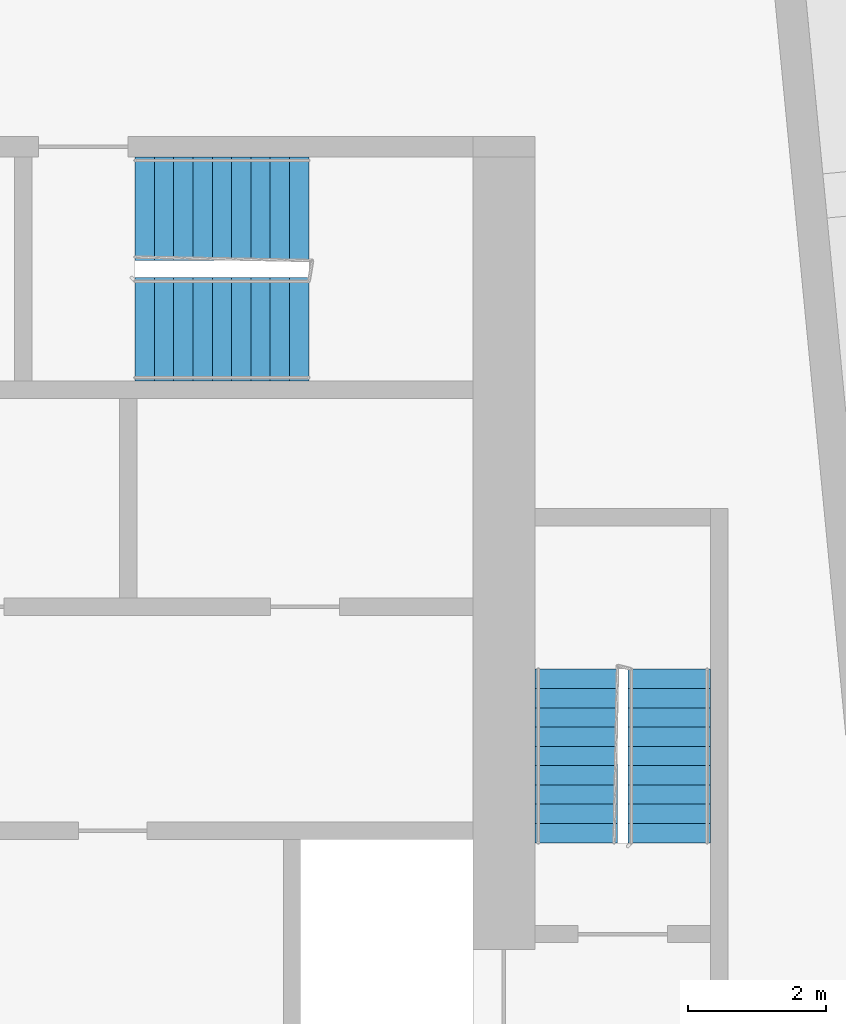
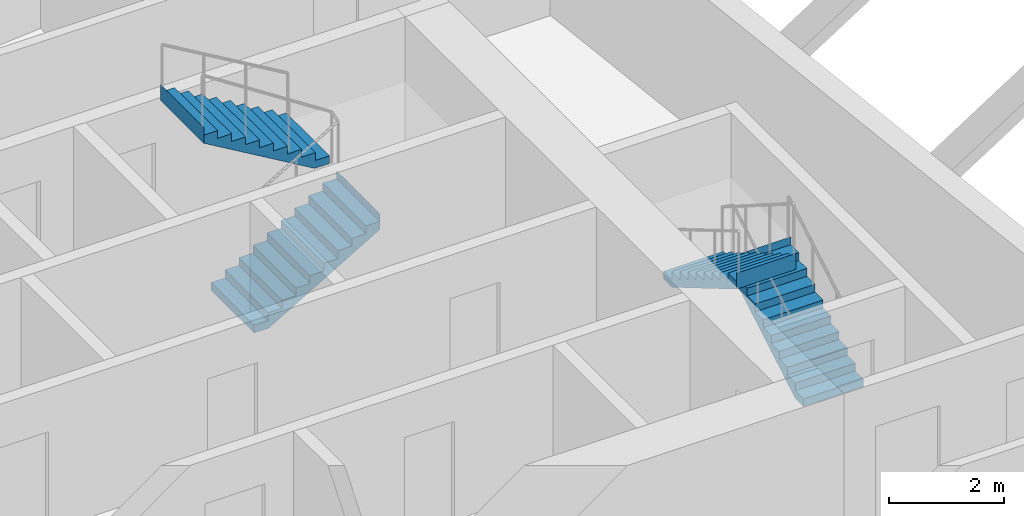
# One storey, part 11 of 13: 4 stair flights, 2 elements without a shape of their own.
"""IFC4 building model written with IfcOpenShell, lengths in metres."""

from ifc_helpers import new_model, si_unit, direction, frame, origin, place, context, subcontext, project, spatial, faceted_brep, material, type_object, element, aggregate, save


model = new_model("IFC4")

# Units and contexts
model_context = context("Model", 3, precision=1e-05, world=origin(), true_north=direction((0.0, 1.0)))
body_context = subcontext(model_context, "Body", "Model", "MODEL_VIEW")
ifc_project = project(units=[si_unit("LENGTHUNIT", "METRE"), si_unit("AREAUNIT", "SQUARE_METRE"), si_unit("VOLUMEUNIT", "CUBIC_METRE"), si_unit("PLANEANGLEUNIT", "RADIAN"), si_unit("MASSUNIT", "GRAM", prefix="KILO")], contexts=[model_context])

# Site, building, storey
site_placement = place(None, origin())
site = spatial("IfcSite", under=ifc_project, at=site_placement, CompositionType="ELEMENT")
building_placement = place(site_placement, origin())
building = spatial("IfcBuilding", under=site, at=building_placement, Name="Kajstack Hotel Tower", CompositionType="ELEMENT")
storey_placement = place(building_placement, frame((0.0, 0.0, 298.199951171875)))
storey = spatial("IfcBuildingStorey", under=building, at=storey_placement, Name="L75", CompositionType="ELEMENT", Elevation=298.199951171875)

# Stair, stair flights
ifc_material = material(Name="Concrete C40/50", Category="concrete")
stair_type_1 = type_object("IfcStairType", Name="Exit stair 1200", PredefinedType="HALF_TURN_STAIR", material=ifc_material)
stair_1_placement = place(storey_placement, origin())
stair_1 = element("IfcStair", 1, at=stair_1_placement, inside=storey, type_object=stair_type_1, Name="L75 stair E1", PredefinedType="HALF_TURN_STAIR")
stair_flight_type_1 = type_object("IfcStairFlightType", Name="Exit stair flight 1200", PredefinedType="STRAIGHT", material=ifc_material)
stair_flight_1_placement = place(storey_placement, frame((33.449951171875, 5.25, 0.0), z_axis=(0.0, 0.0, 1.0), x_axis=(0.0, 1.0, 0.0)))
stair_flight_1 = element("IfcStairFlight", 2, at=stair_flight_1_placement, type_object=stair_flight_type_1, Name="E1 flight 1", NumberOfRisers=10, NumberOfTreads=9, PredefinedType="STRAIGHT", RiserHeight=0.165, TreadLength=0.28, context=body_context, shape_type="Brep", body=[
    faceted_brep([(0.295654296875, -0.60009765625, 0.0), (2.5205078125, -0.60009765625, 1.31103515625), (2.5205078125, -0.60009765625, 1.64990234375), (2.52001953125, -0.60009765625, 1.64990234375), (2.52001953125, -0.60009765625, 1.485107421875), (2.239990234375, -0.60009765625, 1.485107421875), (2.239990234375, -0.60009765625, 1.320068359375), (1.9599609375, -0.60009765625, 1.320068359375), (1.9599609375, -0.60009765625, 1.155029296875), (1.679931640625, -0.60009765625, 1.155029296875), (1.679931640625, -0.60009765625, 0.989990234375), (1.39990234375, -0.60009765625, 0.989990234375), (1.39990234375, -0.60009765625, 0.824951171875), (1.1201171875, -0.60009765625, 0.824951171875), (1.1201171875, -0.60009765625, 0.659912109375), (0.840087890625, -0.60009765625, 0.659912109375), (0.840087890625, -0.60009765625, 0.4951171875), (0.56005859375, -0.60009765625, 0.4951171875), (0.56005859375, -0.60009765625, 0.330078125), (0.280029296875, -0.60009765625, 0.330078125), (0.280029296875, -0.60009765625, 0.1650390625), (-0.00048828125, -0.60009765625, 0.1650390625), (-0.00048828125, -0.60009765625, 0.0), (-0.00048828125, 0.60009765625, 0.0), (-0.00048828125, 0.60009765625, 0.1650390625), (0.280029296875, 0.60009765625, 0.1650390625), (0.280029296875, 0.60009765625, 0.330078125), (0.56005859375, 0.60009765625, 0.330078125), (0.56005859375, 0.60009765625, 0.4951171875), (0.840087890625, 0.60009765625, 0.4951171875), (0.840087890625, 0.60009765625, 0.659912109375), (1.1201171875, 0.60009765625, 0.659912109375), (1.1201171875, 0.60009765625, 0.824951171875), (1.39990234375, 0.60009765625, 0.824951171875), (1.39990234375, 0.60009765625, 0.989990234375), (1.679931640625, 0.60009765625, 0.989990234375), (1.679931640625, 0.60009765625, 1.155029296875), (1.9599609375, 0.60009765625, 1.155029296875), (1.9599609375, 0.60009765625, 1.320068359375), (2.239990234375, 0.60009765625, 1.320068359375), (2.239990234375, 0.60009765625, 1.485107421875), (2.52001953125, 0.60009765625, 1.485107421875), (2.52001953125, 0.60009765625, 1.64990234375), (2.5205078125, 0.60009765625, 1.64990234375), (2.5205078125, 0.60009765625, 1.31103515625), (0.295654296875, 0.60009765625, 0.0), (-0.00048828125, -0.300048828125, 0.1650390625), (-0.00048828125, 0.0, 0.1650390625), (-0.00048828125, 0.300048828125, 0.1650390625), (-0.00048828125, 0.300048828125, 0.0), (-0.00048828125, 0.0, 0.0), (-0.00048828125, -0.300048828125, 0.0), (0.280029296875, -0.300048828125, 0.1650390625), (0.280029296875, 0.0, 0.1650390625), (0.280029296875, 0.300048828125, 0.1650390625), (0.280029296875, -0.300048828125, 0.330078125), (0.280029296875, 0.0, 0.330078125), (0.280029296875, 0.300048828125, 0.330078125), (0.56005859375, -0.300048828125, 0.330078125), (0.56005859375, 0.0, 0.330078125), (0.56005859375, 0.300048828125, 0.330078125), (0.56005859375, -0.300048828125, 0.4951171875), (0.56005859375, 0.0, 0.4951171875), (0.56005859375, 0.300048828125, 0.4951171875), (0.840087890625, -0.300048828125, 0.4951171875), (0.840087890625, 0.0, 0.4951171875), (0.840087890625, 0.300048828125, 0.4951171875), (0.840087890625, -0.300048828125, 0.659912109375), (0.840087890625, 0.0, 0.659912109375), (0.840087890625, 0.300048828125, 0.659912109375), (1.1201171875, -0.300048828125, 0.659912109375), (1.1201171875, 0.0, 0.659912109375), (1.1201171875, 0.300048828125, 0.659912109375), (1.1201171875, -0.300048828125, 0.824951171875), (1.1201171875, 0.0, 0.824951171875), (1.1201171875, 0.300048828125, 0.824951171875), (1.39990234375, -0.300048828125, 0.824951171875), (1.39990234375, 0.0, 0.824951171875), (1.39990234375, 0.300048828125, 0.824951171875), (1.39990234375, -0.300048828125, 0.989990234375), (1.39990234375, 0.0, 0.989990234375), (1.39990234375, 0.300048828125, 0.989990234375), (1.679931640625, -0.300048828125, 0.989990234375), (1.679931640625, 0.0, 0.989990234375), (1.679931640625, 0.300048828125, 0.989990234375), (1.679931640625, -0.300048828125, 1.155029296875), (1.679931640625, 0.0, 1.155029296875), (1.679931640625, 0.300048828125, 1.155029296875), (1.9599609375, -0.300048828125, 1.155029296875), (1.9599609375, 0.0, 1.155029296875), (1.9599609375, 0.300048828125, 1.155029296875), (1.9599609375, -0.300048828125, 1.320068359375), (1.9599609375, 0.0, 1.320068359375), (1.9599609375, 0.300048828125, 1.320068359375), (2.239990234375, -0.300048828125, 1.320068359375), (2.239990234375, 0.0, 1.320068359375), (2.239990234375, 0.300048828125, 1.320068359375), (2.239990234375, -0.300048828125, 1.485107421875), (2.239990234375, 0.0, 1.485107421875), (2.239990234375, 0.300048828125, 1.485107421875), (2.52001953125, -0.300048828125, 1.485107421875), (2.52001953125, 0.0, 1.485107421875), (2.52001953125, 0.300048828125, 1.485107421875), (2.52001953125, -0.300048828125, 1.64990234375), (2.52001953125, 0.0, 1.64990234375), (2.52001953125, 0.300048828125, 1.64990234375), (2.5205078125, -0.300048828125, 1.64990234375), (2.5205078125, 0.0, 1.64990234375), (2.5205078125, 0.300048828125, 1.64990234375), (2.5205078125, -0.300048828125, 1.31103515625), (2.5205078125, 0.0, 1.31103515625), (2.5205078125, 0.300048828125, 1.31103515625), (0.295654296875, -0.300048828125, 0.0), (0.295654296875, 0.0, 0.0), (0.295654296875, 0.300048828125, 0.0)], [[[0, 1, 2, 3, 4, 5, 6, 7, 8, 9, 10, 11, 12, 13, 14, 15, 16, 17, 18, 19, 20, 21, 22]], [[23, 24, 25, 26, 27, 28, 29, 30, 31, 32, 33, 34, 35, 36, 37, 38, 39, 40, 41, 42, 43, 44, 45]], [[21, 46, 47, 48, 24, 23, 49, 50, 51, 22]], [[20, 52, 53, 54, 25, 24, 48, 47, 46, 21]], [[19, 55, 56, 57, 26, 25, 54, 53, 52, 20]], [[18, 58, 59, 60, 27, 26, 57, 56, 55, 19]], [[17, 61, 62, 63, 28, 27, 60, 59, 58, 18]], [[16, 64, 65, 66, 29, 28, 63, 62, 61, 17]], [[15, 67, 68, 69, 30, 29, 66, 65, 64, 16]], [[14, 70, 71, 72, 31, 30, 69, 68, 67, 15]], [[13, 73, 74, 75, 32, 31, 72, 71, 70, 14]], [[12, 76, 77, 78, 33, 32, 75, 74, 73, 13]], [[11, 79, 80, 81, 34, 33, 78, 77, 76, 12]], [[10, 82, 83, 84, 35, 34, 81, 80, 79, 11]], [[9, 85, 86, 87, 36, 35, 84, 83, 82, 10]], [[8, 88, 89, 90, 37, 36, 87, 86, 85, 9]], [[7, 91, 92, 93, 38, 37, 90, 89, 88, 8]], [[6, 94, 95, 96, 39, 38, 93, 92, 91, 7]], [[5, 97, 98, 99, 40, 39, 96, 95, 94, 6]], [[4, 100, 101, 102, 41, 40, 99, 98, 97, 5]], [[3, 103, 104, 105, 42, 41, 102, 101, 100, 4]], [[2, 106, 107, 108, 43, 42, 105, 104, 103, 3]], [[1, 109, 110, 111, 44, 43, 108, 107, 106, 2]], [[0, 112, 113, 114, 45, 44, 111, 110, 109, 1]], [[22, 51, 50, 49, 23, 45, 114, 113, 112, 0]]]),
])
stair_flight_2_placement = place(storey_placement, frame((32.10009765625, 7.77001953125, 1.650146484375), z_axis=(0.0, 0.0, 1.0), x_axis=(0.0, -1.0, 0.0)))
stair_flight_2 = element("IfcStairFlight", 3, at=stair_flight_2_placement, type_object=stair_flight_type_1, Name="E1 flight 2", NumberOfRisers=10, NumberOfTreads=9, PredefinedType="STRAIGHT", RiserHeight=0.165, TreadLength=0.28, context=body_context, shape_type="Brep", body=[
    faceted_brep([(0.295654296875, -0.60009765625, 0.0), (2.5205078125, -0.60009765625, 1.31103515625), (2.5205078125, -0.60009765625, 1.64990234375), (2.52001953125, -0.60009765625, 1.64990234375), (2.52001953125, -0.60009765625, 1.485107421875), (2.239990234375, -0.60009765625, 1.485107421875), (2.239990234375, -0.60009765625, 1.320068359375), (1.9599609375, -0.60009765625, 1.320068359375), (1.9599609375, -0.60009765625, 1.155029296875), (1.679931640625, -0.60009765625, 1.155029296875), (1.679931640625, -0.60009765625, 0.989990234375), (1.39990234375, -0.60009765625, 0.989990234375), (1.39990234375, -0.60009765625, 0.824951171875), (1.1201171875, -0.60009765625, 0.824951171875), (1.1201171875, -0.60009765625, 0.659912109375), (0.840087890625, -0.60009765625, 0.659912109375), (0.840087890625, -0.60009765625, 0.4951171875), (0.56005859375, -0.60009765625, 0.4951171875), (0.56005859375, -0.60009765625, 0.330078125), (0.280029296875, -0.60009765625, 0.330078125), (0.280029296875, -0.60009765625, 0.1650390625), (-0.00048828125, -0.60009765625, 0.1650390625), (-0.00048828125, -0.60009765625, 0.0), (-0.00048828125, 0.60009765625, 0.0), (-0.00048828125, 0.60009765625, 0.1650390625), (0.280029296875, 0.60009765625, 0.1650390625), (0.280029296875, 0.60009765625, 0.330078125), (0.56005859375, 0.60009765625, 0.330078125), (0.56005859375, 0.60009765625, 0.4951171875), (0.840087890625, 0.60009765625, 0.4951171875), (0.840087890625, 0.60009765625, 0.659912109375), (1.1201171875, 0.60009765625, 0.659912109375), (1.1201171875, 0.60009765625, 0.824951171875), (1.39990234375, 0.60009765625, 0.824951171875), (1.39990234375, 0.60009765625, 0.989990234375), (1.679931640625, 0.60009765625, 0.989990234375), (1.679931640625, 0.60009765625, 1.155029296875), (1.9599609375, 0.60009765625, 1.155029296875), (1.9599609375, 0.60009765625, 1.320068359375), (2.239990234375, 0.60009765625, 1.320068359375), (2.239990234375, 0.60009765625, 1.485107421875), (2.52001953125, 0.60009765625, 1.485107421875), (2.52001953125, 0.60009765625, 1.64990234375), (2.5205078125, 0.60009765625, 1.64990234375), (2.5205078125, 0.60009765625, 1.31103515625), (0.295654296875, 0.60009765625, 0.0), (-0.00048828125, -0.300048828125, 0.1650390625), (-0.00048828125, 0.0, 0.1650390625), (-0.00048828125, 0.300048828125, 0.1650390625), (-0.00048828125, 0.300048828125, 0.0), (-0.00048828125, 0.0, 0.0), (-0.00048828125, -0.300048828125, 0.0), (0.280029296875, -0.300048828125, 0.1650390625), (0.280029296875, 0.0, 0.1650390625), (0.280029296875, 0.300048828125, 0.1650390625), (0.280029296875, -0.300048828125, 0.330078125), (0.280029296875, 0.0, 0.330078125), (0.280029296875, 0.300048828125, 0.330078125), (0.56005859375, -0.300048828125, 0.330078125), (0.56005859375, 0.0, 0.330078125), (0.56005859375, 0.300048828125, 0.330078125), (0.56005859375, -0.300048828125, 0.4951171875), (0.56005859375, 0.0, 0.4951171875), (0.56005859375, 0.300048828125, 0.4951171875), (0.840087890625, -0.300048828125, 0.4951171875), (0.840087890625, 0.0, 0.4951171875), (0.840087890625, 0.300048828125, 0.4951171875), (0.840087890625, -0.300048828125, 0.659912109375), (0.840087890625, 0.0, 0.659912109375), (0.840087890625, 0.300048828125, 0.659912109375), (1.1201171875, -0.300048828125, 0.659912109375), (1.1201171875, 0.0, 0.659912109375), (1.1201171875, 0.300048828125, 0.659912109375), (1.1201171875, -0.300048828125, 0.824951171875), (1.1201171875, 0.0, 0.824951171875), (1.1201171875, 0.300048828125, 0.824951171875), (1.39990234375, -0.300048828125, 0.824951171875), (1.39990234375, 0.0, 0.824951171875), (1.39990234375, 0.300048828125, 0.824951171875), (1.39990234375, -0.300048828125, 0.989990234375), (1.39990234375, 0.0, 0.989990234375), (1.39990234375, 0.300048828125, 0.989990234375), (1.679931640625, -0.300048828125, 0.989990234375), (1.679931640625, 0.0, 0.989990234375), (1.679931640625, 0.300048828125, 0.989990234375), (1.679931640625, -0.300048828125, 1.155029296875), (1.679931640625, 0.0, 1.155029296875), (1.679931640625, 0.300048828125, 1.155029296875), (1.9599609375, -0.300048828125, 1.155029296875), (1.9599609375, 0.0, 1.155029296875), (1.9599609375, 0.300048828125, 1.155029296875), (1.9599609375, -0.300048828125, 1.320068359375), (1.9599609375, 0.0, 1.320068359375), (1.9599609375, 0.300048828125, 1.320068359375), (2.239990234375, -0.300048828125, 1.320068359375), (2.239990234375, 0.0, 1.320068359375), (2.239990234375, 0.300048828125, 1.320068359375), (2.239990234375, -0.300048828125, 1.485107421875), (2.239990234375, 0.0, 1.485107421875), (2.239990234375, 0.300048828125, 1.485107421875), (2.52001953125, -0.300048828125, 1.485107421875), (2.52001953125, 0.0, 1.485107421875), (2.52001953125, 0.300048828125, 1.485107421875), (2.52001953125, -0.300048828125, 1.64990234375), (2.52001953125, 0.0, 1.64990234375), (2.52001953125, 0.300048828125, 1.64990234375), (2.5205078125, -0.300048828125, 1.64990234375), (2.5205078125, 0.0, 1.64990234375), (2.5205078125, 0.300048828125, 1.64990234375), (2.5205078125, -0.300048828125, 1.31103515625), (2.5205078125, 0.0, 1.31103515625), (2.5205078125, 0.300048828125, 1.31103515625), (0.295654296875, -0.300048828125, 0.0), (0.295654296875, 0.0, 0.0), (0.295654296875, 0.300048828125, 0.0)], [[[0, 1, 2, 3, 4, 5, 6, 7, 8, 9, 10, 11, 12, 13, 14, 15, 16, 17, 18, 19, 20, 21, 22]], [[23, 24, 25, 26, 27, 28, 29, 30, 31, 32, 33, 34, 35, 36, 37, 38, 39, 40, 41, 42, 43, 44, 45]], [[21, 46, 47, 48, 24, 23, 49, 50, 51, 22]], [[20, 52, 53, 54, 25, 24, 48, 47, 46, 21]], [[19, 55, 56, 57, 26, 25, 54, 53, 52, 20]], [[18, 58, 59, 60, 27, 26, 57, 56, 55, 19]], [[17, 61, 62, 63, 28, 27, 60, 59, 58, 18]], [[16, 64, 65, 66, 29, 28, 63, 62, 61, 17]], [[15, 67, 68, 69, 30, 29, 66, 65, 64, 16]], [[14, 70, 71, 72, 31, 30, 69, 68, 67, 15]], [[13, 73, 74, 75, 32, 31, 72, 71, 70, 14]], [[12, 76, 77, 78, 33, 32, 75, 74, 73, 13]], [[11, 79, 80, 81, 34, 33, 78, 77, 76, 12]], [[10, 82, 83, 84, 35, 34, 81, 80, 79, 11]], [[9, 85, 86, 87, 36, 35, 84, 83, 82, 10]], [[8, 88, 89, 90, 37, 36, 87, 86, 85, 9]], [[7, 91, 92, 93, 38, 37, 90, 89, 88, 8]], [[6, 94, 95, 96, 39, 38, 93, 92, 91, 7]], [[5, 97, 98, 99, 40, 39, 96, 95, 94, 6]], [[4, 100, 101, 102, 41, 40, 99, 98, 97, 5]], [[3, 103, 104, 105, 42, 41, 102, 101, 100, 4]], [[2, 106, 107, 108, 43, 42, 105, 104, 103, 3]], [[1, 109, 110, 111, 44, 43, 108, 107, 106, 2]], [[0, 112, 113, 114, 45, 44, 111, 110, 109, 1]], [[22, 51, 50, 49, 23, 45, 114, 113, 112, 0]]]),
])
aggregate(stair_1, [stair_flight_1, stair_flight_2])

stair_type_2 = type_object("IfcStairType", Name="Exit stair 1500", PredefinedType="HALF_TURN_STAIR", material=ifc_material)
stair_2_placement = place(storey_placement, origin())
stair_2 = element("IfcStair", 4, at=stair_2_placement, inside=storey, type_object=stair_type_2, Name="L75 stair E3", PredefinedType="HALF_TURN_STAIR")
stair_flight_type_2 = type_object("IfcStairFlightType", Name="Exit stair flight 1500", PredefinedType="STRAIGHT", material=ifc_material)
stair_flight_3_placement = place(storey_placement, frame((25.699951171875, 12.699951171875, 0.0), z_axis=(0.0, 0.0, 1.0), x_axis=(1.0, 0.0, 0.0)))
stair_flight_3 = element("IfcStairFlight", 5, at=stair_flight_3_placement, type_object=stair_flight_type_2, Name="E3 flight 1", NumberOfRisers=10, NumberOfTreads=9, PredefinedType="STRAIGHT", RiserHeight=0.165, TreadLength=0.28, context=body_context, shape_type="Brep", body=[
    faceted_brep([(0.295654296875, -0.75, 0.0), (2.5205078125, -0.75, 1.31103515625), (2.5205078125, -0.75, 1.64990234375), (2.52001953125, -0.75, 1.64990234375), (2.52001953125, -0.75, 1.485107421875), (2.239990234375, -0.75, 1.485107421875), (2.239990234375, -0.75, 1.320068359375), (1.9599609375, -0.75, 1.320068359375), (1.9599609375, -0.75, 1.155029296875), (1.679931640625, -0.75, 1.155029296875), (1.679931640625, -0.75, 0.989990234375), (1.39990234375, -0.75, 0.989990234375), (1.39990234375, -0.75, 0.824951171875), (1.1201171875, -0.75, 0.824951171875), (1.1201171875, -0.75, 0.659912109375), (0.840087890625, -0.75, 0.659912109375), (0.840087890625, -0.75, 0.4951171875), (0.56005859375, -0.75, 0.4951171875), (0.56005859375, -0.75, 0.330078125), (0.280029296875, -0.75, 0.330078125), (0.280029296875, -0.75, 0.1650390625), (-0.00048828125, -0.75, 0.1650390625), (-0.00048828125, -0.75, 0.0), (-0.00048828125, 0.75, 0.0), (-0.00048828125, 0.75, 0.1650390625), (0.280029296875, 0.75, 0.1650390625), (0.280029296875, 0.75, 0.330078125), (0.56005859375, 0.75, 0.330078125), (0.56005859375, 0.75, 0.4951171875), (0.840087890625, 0.75, 0.4951171875), (0.840087890625, 0.75, 0.659912109375), (1.1201171875, 0.75, 0.659912109375), (1.1201171875, 0.75, 0.824951171875), (1.39990234375, 0.75, 0.824951171875), (1.39990234375, 0.75, 0.989990234375), (1.679931640625, 0.75, 0.989990234375), (1.679931640625, 0.75, 1.155029296875), (1.9599609375, 0.75, 1.155029296875), (1.9599609375, 0.75, 1.320068359375), (2.239990234375, 0.75, 1.320068359375), (2.239990234375, 0.75, 1.485107421875), (2.52001953125, 0.75, 1.485107421875), (2.52001953125, 0.75, 1.64990234375), (2.5205078125, 0.75, 1.64990234375), (2.5205078125, 0.75, 1.31103515625), (0.295654296875, 0.75, 0.0), (-0.00048828125, -0.375, 0.1650390625), (-0.00048828125, 0.0, 0.1650390625), (-0.00048828125, 0.375, 0.1650390625), (-0.00048828125, 0.375, 0.0), (-0.00048828125, 0.0, 0.0), (-0.00048828125, -0.375, 0.0), (0.280029296875, -0.375, 0.1650390625), (0.280029296875, 0.0, 0.1650390625), (0.280029296875, 0.375, 0.1650390625), (0.280029296875, -0.375, 0.330078125), (0.280029296875, 0.0, 0.330078125), (0.280029296875, 0.375, 0.330078125), (0.56005859375, -0.375, 0.330078125), (0.56005859375, 0.0, 0.330078125), (0.56005859375, 0.375, 0.330078125), (0.56005859375, -0.375, 0.4951171875), (0.56005859375, 0.0, 0.4951171875), (0.56005859375, 0.375, 0.4951171875), (0.840087890625, -0.375, 0.4951171875), (0.840087890625, 0.0, 0.4951171875), (0.840087890625, 0.375, 0.4951171875), (0.840087890625, -0.375, 0.659912109375), (0.840087890625, 0.0, 0.659912109375), (0.840087890625, 0.375, 0.659912109375), (1.1201171875, -0.375, 0.659912109375), (1.1201171875, 0.0, 0.659912109375), (1.1201171875, 0.375, 0.659912109375), (1.1201171875, -0.375, 0.824951171875), (1.1201171875, 0.0, 0.824951171875), (1.1201171875, 0.375, 0.824951171875), (1.39990234375, -0.375, 0.824951171875), (1.39990234375, 0.0, 0.824951171875), (1.39990234375, 0.375, 0.824951171875), (1.39990234375, -0.375, 0.989990234375), (1.39990234375, 0.0, 0.989990234375), (1.39990234375, 0.375, 0.989990234375), (1.679931640625, -0.375, 0.989990234375), (1.679931640625, 0.0, 0.989990234375), (1.679931640625, 0.375, 0.989990234375), (1.679931640625, -0.375, 1.155029296875), (1.679931640625, 0.0, 1.155029296875), (1.679931640625, 0.375, 1.155029296875), (1.9599609375, -0.375, 1.155029296875), (1.9599609375, 0.0, 1.155029296875), (1.9599609375, 0.375, 1.155029296875), (1.9599609375, -0.375, 1.320068359375), (1.9599609375, 0.0, 1.320068359375), (1.9599609375, 0.375, 1.320068359375), (2.239990234375, -0.375, 1.320068359375), (2.239990234375, 0.0, 1.320068359375), (2.239990234375, 0.375, 1.320068359375), (2.239990234375, -0.375, 1.485107421875), (2.239990234375, 0.0, 1.485107421875), (2.239990234375, 0.375, 1.485107421875), (2.52001953125, -0.375, 1.485107421875), (2.52001953125, 0.0, 1.485107421875), (2.52001953125, 0.375, 1.485107421875), (2.52001953125, -0.375, 1.64990234375), (2.52001953125, 0.0, 1.64990234375), (2.52001953125, 0.375, 1.64990234375), (2.5205078125, -0.375, 1.64990234375), (2.5205078125, 0.0, 1.64990234375), (2.5205078125, 0.375, 1.64990234375), (2.5205078125, -0.375, 1.31103515625), (2.5205078125, 0.0, 1.31103515625), (2.5205078125, 0.375, 1.31103515625), (0.295654296875, -0.375, 0.0), (0.295654296875, 0.0, 0.0), (0.295654296875, 0.375, 0.0)], [[[0, 1, 2, 3, 4, 5, 6, 7, 8, 9, 10, 11, 12, 13, 14, 15, 16, 17, 18, 19, 20, 21, 22]], [[23, 24, 25, 26, 27, 28, 29, 30, 31, 32, 33, 34, 35, 36, 37, 38, 39, 40, 41, 42, 43, 44, 45]], [[21, 46, 47, 48, 24, 23, 49, 50, 51, 22]], [[20, 52, 53, 54, 25, 24, 48, 47, 46, 21]], [[19, 55, 56, 57, 26, 25, 54, 53, 52, 20]], [[18, 58, 59, 60, 27, 26, 57, 56, 55, 19]], [[17, 61, 62, 63, 28, 27, 60, 59, 58, 18]], [[16, 64, 65, 66, 29, 28, 63, 62, 61, 17]], [[15, 67, 68, 69, 30, 29, 66, 65, 64, 16]], [[14, 70, 71, 72, 31, 30, 69, 68, 67, 15]], [[13, 73, 74, 75, 32, 31, 72, 71, 70, 14]], [[12, 76, 77, 78, 33, 32, 75, 74, 73, 13]], [[11, 79, 80, 81, 34, 33, 78, 77, 76, 12]], [[10, 82, 83, 84, 35, 34, 81, 80, 79, 11]], [[9, 85, 86, 87, 36, 35, 84, 83, 82, 10]], [[8, 88, 89, 90, 37, 36, 87, 86, 85, 9]], [[7, 91, 92, 93, 38, 37, 90, 89, 88, 8]], [[6, 94, 95, 96, 39, 38, 93, 92, 91, 7]], [[5, 97, 98, 99, 40, 39, 96, 95, 94, 6]], [[4, 100, 101, 102, 41, 40, 99, 98, 97, 5]], [[3, 103, 104, 105, 42, 41, 102, 101, 100, 4]], [[2, 106, 107, 108, 43, 42, 105, 104, 103, 3]], [[1, 109, 110, 111, 44, 43, 108, 107, 106, 2]], [[0, 112, 113, 114, 45, 44, 111, 110, 109, 1]], [[22, 51, 50, 49, 23, 45, 114, 113, 112, 0]]]),
])
stair_flight_4_placement = place(storey_placement, frame((28.219970703125, 14.449951171875, 1.650146484375), z_axis=(0.0, 0.0, 1.0), x_axis=(-1.0, 0.0, 0.0)))
stair_flight_4 = element("IfcStairFlight", 6, at=stair_flight_4_placement, type_object=stair_flight_type_2, Name="E3 flight 2", NumberOfRisers=10, NumberOfTreads=9, PredefinedType="STRAIGHT", RiserHeight=0.165, TreadLength=0.28, context=body_context, shape_type="Brep", body=[
    faceted_brep([(0.295654296875, -0.75, 0.0), (2.5205078125, -0.75, 1.31103515625), (2.5205078125, -0.75, 1.64990234375), (2.52001953125, -0.75, 1.64990234375), (2.52001953125, -0.75, 1.485107421875), (2.239990234375, -0.75, 1.485107421875), (2.239990234375, -0.75, 1.320068359375), (1.9599609375, -0.75, 1.320068359375), (1.9599609375, -0.75, 1.155029296875), (1.679931640625, -0.75, 1.155029296875), (1.679931640625, -0.75, 0.989990234375), (1.39990234375, -0.75, 0.989990234375), (1.39990234375, -0.75, 0.824951171875), (1.1201171875, -0.75, 0.824951171875), (1.1201171875, -0.75, 0.659912109375), (0.840087890625, -0.75, 0.659912109375), (0.840087890625, -0.75, 0.4951171875), (0.56005859375, -0.75, 0.4951171875), (0.56005859375, -0.75, 0.330078125), (0.280029296875, -0.75, 0.330078125), (0.280029296875, -0.75, 0.1650390625), (-0.00048828125, -0.75, 0.1650390625), (-0.00048828125, -0.75, 0.0), (-0.00048828125, 0.75, 0.0), (-0.00048828125, 0.75, 0.1650390625), (0.280029296875, 0.75, 0.1650390625), (0.280029296875, 0.75, 0.330078125), (0.56005859375, 0.75, 0.330078125), (0.56005859375, 0.75, 0.4951171875), (0.840087890625, 0.75, 0.4951171875), (0.840087890625, 0.75, 0.659912109375), (1.1201171875, 0.75, 0.659912109375), (1.1201171875, 0.75, 0.824951171875), (1.39990234375, 0.75, 0.824951171875), (1.39990234375, 0.75, 0.989990234375), (1.679931640625, 0.75, 0.989990234375), (1.679931640625, 0.75, 1.155029296875), (1.9599609375, 0.75, 1.155029296875), (1.9599609375, 0.75, 1.320068359375), (2.239990234375, 0.75, 1.320068359375), (2.239990234375, 0.75, 1.485107421875), (2.52001953125, 0.75, 1.485107421875), (2.52001953125, 0.75, 1.64990234375), (2.5205078125, 0.75, 1.64990234375), (2.5205078125, 0.75, 1.31103515625), (0.295654296875, 0.75, 0.0), (-0.00048828125, -0.375, 0.1650390625), (-0.00048828125, 0.0, 0.1650390625), (-0.00048828125, 0.375, 0.1650390625), (-0.00048828125, 0.375, 0.0), (-0.00048828125, 0.0, 0.0), (-0.00048828125, -0.375, 0.0), (0.280029296875, -0.375, 0.1650390625), (0.280029296875, 0.0, 0.1650390625), (0.280029296875, 0.375, 0.1650390625), (0.280029296875, -0.375, 0.330078125), (0.280029296875, 0.0, 0.330078125), (0.280029296875, 0.375, 0.330078125), (0.56005859375, -0.375, 0.330078125), (0.56005859375, 0.0, 0.330078125), (0.56005859375, 0.375, 0.330078125), (0.56005859375, -0.375, 0.4951171875), (0.56005859375, 0.0, 0.4951171875), (0.56005859375, 0.375, 0.4951171875), (0.840087890625, -0.375, 0.4951171875), (0.840087890625, 0.0, 0.4951171875), (0.840087890625, 0.375, 0.4951171875), (0.840087890625, -0.375, 0.659912109375), (0.840087890625, 0.0, 0.659912109375), (0.840087890625, 0.375, 0.659912109375), (1.1201171875, -0.375, 0.659912109375), (1.1201171875, 0.0, 0.659912109375), (1.1201171875, 0.375, 0.659912109375), (1.1201171875, -0.375, 0.824951171875), (1.1201171875, 0.0, 0.824951171875), (1.1201171875, 0.375, 0.824951171875), (1.39990234375, -0.375, 0.824951171875), (1.39990234375, 0.0, 0.824951171875), (1.39990234375, 0.375, 0.824951171875), (1.39990234375, -0.375, 0.989990234375), (1.39990234375, 0.0, 0.989990234375), (1.39990234375, 0.375, 0.989990234375), (1.679931640625, -0.375, 0.989990234375), (1.679931640625, 0.0, 0.989990234375), (1.679931640625, 0.375, 0.989990234375), (1.679931640625, -0.375, 1.155029296875), (1.679931640625, 0.0, 1.155029296875), (1.679931640625, 0.375, 1.155029296875), (1.9599609375, -0.375, 1.155029296875), (1.9599609375, 0.0, 1.155029296875), (1.9599609375, 0.375, 1.155029296875), (1.9599609375, -0.375, 1.320068359375), (1.9599609375, 0.0, 1.320068359375), (1.9599609375, 0.375, 1.320068359375), (2.239990234375, -0.375, 1.320068359375), (2.239990234375, 0.0, 1.320068359375), (2.239990234375, 0.375, 1.320068359375), (2.239990234375, -0.375, 1.485107421875), (2.239990234375, 0.0, 1.485107421875), (2.239990234375, 0.375, 1.485107421875), (2.52001953125, -0.375, 1.485107421875), (2.52001953125, 0.0, 1.485107421875), (2.52001953125, 0.375, 1.485107421875), (2.52001953125, -0.375, 1.64990234375), (2.52001953125, 0.0, 1.64990234375), (2.52001953125, 0.375, 1.64990234375), (2.5205078125, -0.375, 1.64990234375), (2.5205078125, 0.0, 1.64990234375), (2.5205078125, 0.375, 1.64990234375), (2.5205078125, -0.375, 1.31103515625), (2.5205078125, 0.0, 1.31103515625), (2.5205078125, 0.375, 1.31103515625), (0.295654296875, -0.375, 0.0), (0.295654296875, 0.0, 0.0), (0.295654296875, 0.375, 0.0)], [[[0, 1, 2, 3, 4, 5, 6, 7, 8, 9, 10, 11, 12, 13, 14, 15, 16, 17, 18, 19, 20, 21, 22]], [[23, 24, 25, 26, 27, 28, 29, 30, 31, 32, 33, 34, 35, 36, 37, 38, 39, 40, 41, 42, 43, 44, 45]], [[21, 46, 47, 48, 24, 23, 49, 50, 51, 22]], [[20, 52, 53, 54, 25, 24, 48, 47, 46, 21]], [[19, 55, 56, 57, 26, 25, 54, 53, 52, 20]], [[18, 58, 59, 60, 27, 26, 57, 56, 55, 19]], [[17, 61, 62, 63, 28, 27, 60, 59, 58, 18]], [[16, 64, 65, 66, 29, 28, 63, 62, 61, 17]], [[15, 67, 68, 69, 30, 29, 66, 65, 64, 16]], [[14, 70, 71, 72, 31, 30, 69, 68, 67, 15]], [[13, 73, 74, 75, 32, 31, 72, 71, 70, 14]], [[12, 76, 77, 78, 33, 32, 75, 74, 73, 13]], [[11, 79, 80, 81, 34, 33, 78, 77, 76, 12]], [[10, 82, 83, 84, 35, 34, 81, 80, 79, 11]], [[9, 85, 86, 87, 36, 35, 84, 83, 82, 10]], [[8, 88, 89, 90, 37, 36, 87, 86, 85, 9]], [[7, 91, 92, 93, 38, 37, 90, 89, 88, 8]], [[6, 94, 95, 96, 39, 38, 93, 92, 91, 7]], [[5, 97, 98, 99, 40, 39, 96, 95, 94, 6]], [[4, 100, 101, 102, 41, 40, 99, 98, 97, 5]], [[3, 103, 104, 105, 42, 41, 102, 101, 100, 4]], [[2, 106, 107, 108, 43, 42, 105, 104, 103, 3]], [[1, 109, 110, 111, 44, 43, 108, 107, 106, 2]], [[0, 112, 113, 114, 45, 44, 111, 110, 109, 1]], [[22, 51, 50, 49, 23, 45, 114, 113, 112, 0]]]),
])
aggregate(stair_2, [stair_flight_3, stair_flight_4])

save(model, "model.ifc")
